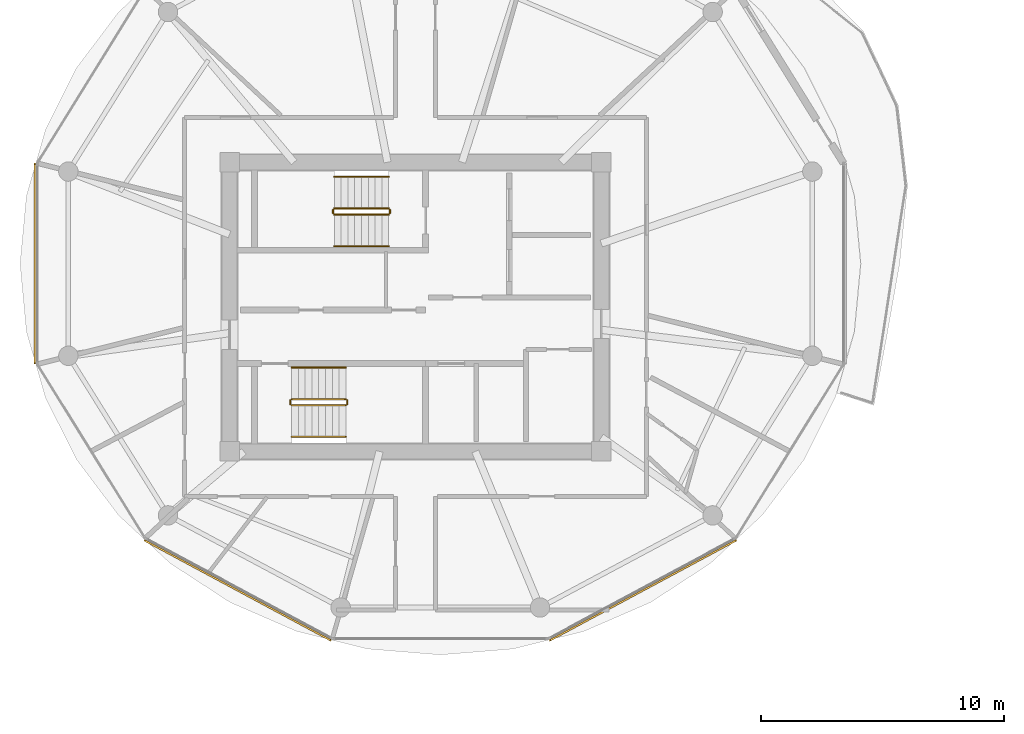
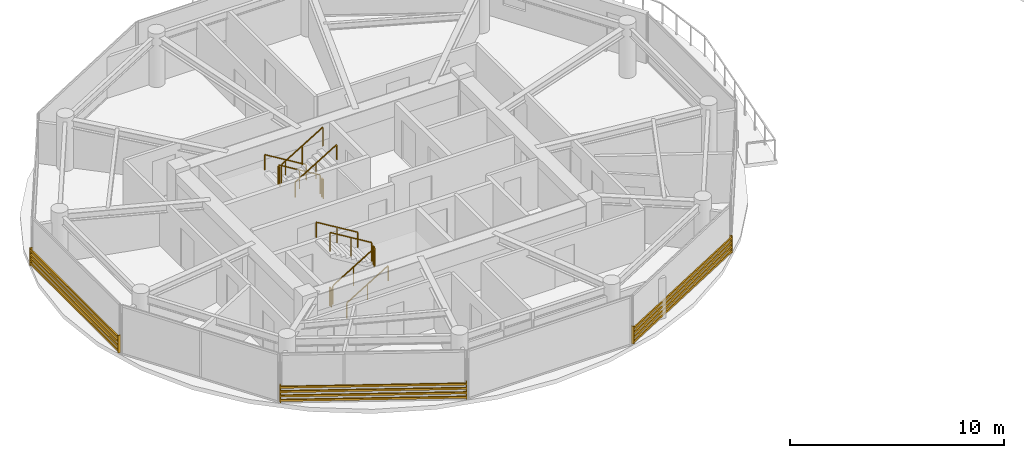
# One storey, part 19 of 21: 12 railings, 3 shading devices.
"""IFC4 building model written with IfcOpenShell, lengths in metres."""

from ifc_helpers import new_model, si_unit, direction, frame, origin, origin_2d, place, context, subcontext, project, spatial, rectangle, extrude, source, transform, mapped, material, type_object, type_shapes, element, save


model = new_model("IFC4")

# Units and contexts
model_context = context("Model", 3, precision=1e-05, world=origin(), true_north=direction((0.0, 1.0)))
body_context = subcontext(model_context, "Body", "Model", "MODEL_VIEW")
ifc_project = project(units=[si_unit("LENGTHUNIT", "METRE"), si_unit("AREAUNIT", "SQUARE_METRE"), si_unit("VOLUMEUNIT", "CUBIC_METRE"), si_unit("PLANEANGLEUNIT", "RADIAN"), si_unit("MASSUNIT", "GRAM", prefix="KILO")], contexts=[model_context])

# Site, building, storey
site_placement = place(None, origin())
site = spatial("IfcSite", under=ifc_project, at=site_placement, CompositionType="ELEMENT")
building_placement = place(site_placement, origin())
building = spatial("IfcBuilding", under=site, at=building_placement, Name="Norrkilde Senior Care Towers", CompositionType="ELEMENT")
storey_placement = place(building_placement, frame((0.0, 0.0, 140.39990234375)))
storey = spatial("IfcBuildingStorey", under=building, at=storey_placement, Name="L43", CompositionType="ELEMENT", Elevation=140.39990234375)

# Railings
ifc_material_1 = material(Name="Stainless Steel", Category="steel")
railing_type_1 = type_object("IfcRailingType", Name="Stair and Terrace Guardrail 1100", PredefinedType="GUARDRAIL", material=ifc_material_1)
railing_1_placement = place(storey_placement, frame((-29.10009765625, 4.050048828125, 0.16943359375)))
element("IfcRailing", 1, at=railing_1_placement, inside=storey, type_object=railing_type_1, Name="L43 ST-W1 stair guard 1", PredefinedType="GUARDRAIL", context=body_context, shape_type="SweptSolid", body=[
    extrude(rectangle(XDim=0.048095703125, YDim=0.048095703125, at=origin_2d()), frame((0.0, 0.0, 1.076171875), z_axis=(-0.855512035549, 0.0, 0.517782924622), x_axis=(0.0, -1.0, 0.0)), (0.0, 0.0, 1.0), 2.618408203125),
    extrude(rectangle(XDim=0.0419921875, YDim=0.0419921875, at=origin_2d()), origin(), (0.0, 0.0, 1.0), 1.050048828125),
    extrude(rectangle(XDim=0.0419921875, YDim=0.0419921875, at=origin_2d()), frame((-1.1201171875, 0.0, 0.677734375)), (0.0, 0.0, 1.0), 1.050048828125),
    extrude(rectangle(XDim=0.0419921875, YDim=0.0419921875, at=origin_2d()), frame((-2.239990234375, 0.0, 1.355712890625)), (0.0, 0.0, 1.0), 1.050048828125),
])
railing_2_placement = place(storey_placement, frame((-31.389892578125, 4.0, 1.525146484375)))
element("IfcRailing", 2, at=railing_2_placement, inside=storey, type_object=railing_type_1, Name="L43 ST-W1 stair guard 2", PredefinedType="GUARDRAIL", context=body_context, shape_type="SweptSolid", body=[
    extrude(rectangle(XDim=0.048095703125, YDim=0.048095703125, at=origin_2d()), frame((0.0, 0.0, 1.076171875), z_axis=(0.0, -1.0, 0.0), x_axis=(1.0, 0.0, 0.0)), (0.0, 0.0, 1.0), 0.14990234375),
    extrude(rectangle(XDim=0.0419921875, YDim=0.0419921875, at=origin_2d()), origin(), (0.0, 0.0, 1.0), 1.050048828125),
    extrude(rectangle(XDim=0.0419921875, YDim=0.0419921875, at=origin_2d()), frame((0.0, -0.14990234375, 0.0)), (0.0, 0.0, 1.0), 1.050048828125),
])
railing_3_placement = place(storey_placement, frame((-31.340087890625, 3.800048828125, 1.694580078125)))
element("IfcRailing", 3, at=railing_3_placement, inside=storey, type_object=railing_type_1, Name="L43 ST-W1 stair guard 3", PredefinedType="GUARDRAIL", context=body_context, shape_type="SweptSolid", body=[
    extrude(rectangle(XDim=0.048095703125, YDim=0.048095703125, at=origin_2d()), frame((0.0, 0.0, 1.076171875), z_axis=(0.855553338991, 0.0, 0.51771467445), x_axis=(0.0, 1.0, 0.0)), (0.0, 0.0, 1.0), 2.6181640625),
    extrude(rectangle(XDim=0.0419921875, YDim=0.0419921875, at=origin_2d()), origin(), (0.0, 0.0, 1.0), 1.050048828125),
    extrude(rectangle(XDim=0.0419921875, YDim=0.0419921875, at=origin_2d()), frame((1.1201171875, 0.0, 0.677734375)), (0.0, 0.0, 1.0), 1.050048828125),
    extrude(rectangle(XDim=0.0419921875, YDim=0.0419921875, at=origin_2d()), frame((2.239990234375, 0.0, 1.35546875)), (0.0, 0.0, 1.0), 1.050048828125),
])
railing_4_placement = place(storey_placement, frame((-29.050048828125, 4.0, 0.0)))
element("IfcRailing", 4, at=railing_4_placement, inside=storey, type_object=railing_type_1, Name="L43 ST-W1 stair guard 4", PredefinedType="GUARDRAIL", context=body_context, shape_type="SweptSolid", body=[
    extrude(rectangle(XDim=0.048095703125, YDim=0.048095703125, at=origin_2d()), frame((0.0, 0.0, 1.076171875), z_axis=(0.0, -1.0, 0.0), x_axis=(1.0, 0.0, 0.0)), (0.0, 0.0, 1.0), 0.14990234375),
    extrude(rectangle(XDim=0.0419921875, YDim=0.0419921875, at=origin_2d()), origin(), (0.0, 0.0, 1.0), 1.050048828125),
    extrude(rectangle(XDim=0.0419921875, YDim=0.0419921875, at=origin_2d()), frame((0.0, -0.14990234375, 0.0)), (0.0, 0.0, 1.0), 1.050048828125),
])
railing_5_placement = place(storey_placement, frame((-33.10009765625, -4.050048828125, 0.16943359375)))
element("IfcRailing", 5, at=railing_5_placement, inside=storey, type_object=railing_type_1, Name="L43 ST-W2 stair guard 1", PredefinedType="GUARDRAIL", context=body_context, shape_type="SweptSolid", body=[
    extrude(rectangle(XDim=0.048095703125, YDim=0.048095703125, at=origin_2d()), frame((0.0, 0.0, 1.076171875), z_axis=(0.855512035549, 0.0, 0.517782924622), x_axis=(0.0, 1.0, 0.0)), (0.0, 0.0, 1.0), 2.618408203125),
    extrude(rectangle(XDim=0.0419921875, YDim=0.0419921875, at=origin_2d()), origin(), (0.0, 0.0, 1.0), 1.050048828125),
    extrude(rectangle(XDim=0.0419921875, YDim=0.0419921875, at=origin_2d()), frame((1.1201171875, 0.0, 0.677734375)), (0.0, 0.0, 1.0), 1.050048828125),
    extrude(rectangle(XDim=0.0419921875, YDim=0.0419921875, at=origin_2d()), frame((2.239990234375, 0.0, 1.355712890625)), (0.0, 0.0, 1.0), 1.050048828125),
])
railing_6_placement = place(storey_placement, frame((-30.81005859375, -4.0, 1.525146484375)))
element("IfcRailing", 6, at=railing_6_placement, inside=storey, type_object=railing_type_1, Name="L43 ST-W2 stair guard 2", PredefinedType="GUARDRAIL", context=body_context, shape_type="SweptSolid", body=[
    extrude(rectangle(XDim=0.048095703125, YDim=0.048095703125, at=origin_2d()), frame((0.0, 0.0, 1.076171875), z_axis=(0.0, 1.0, 0.0), x_axis=(-1.0, 0.0, 0.0)), (0.0, 0.0, 1.0), 0.14990234375),
    extrude(rectangle(XDim=0.0419921875, YDim=0.0419921875, at=origin_2d()), origin(), (0.0, 0.0, 1.0), 1.050048828125),
    extrude(rectangle(XDim=0.0419921875, YDim=0.0419921875, at=origin_2d()), frame((0.0, 0.14990234375, 0.0)), (0.0, 0.0, 1.0), 1.050048828125),
])
railing_7_placement = place(storey_placement, frame((-30.860107421875, -3.800048828125, 1.694580078125)))
element("IfcRailing", 7, at=railing_7_placement, inside=storey, type_object=railing_type_1, Name="L43 ST-W2 stair guard 3", PredefinedType="GUARDRAIL", context=body_context, shape_type="SweptSolid", body=[
    extrude(rectangle(XDim=0.048095703125, YDim=0.048095703125, at=origin_2d()), frame((0.0, 0.0, 1.076171875), z_axis=(-0.855553338991, 0.0, 0.51771467445), x_axis=(0.0, -1.0, 0.0)), (0.0, 0.0, 1.0), 2.6181640625),
    extrude(rectangle(XDim=0.0419921875, YDim=0.0419921875, at=origin_2d()), origin(), (0.0, 0.0, 1.0), 1.050048828125),
    extrude(rectangle(XDim=0.0419921875, YDim=0.0419921875, at=origin_2d()), frame((-1.1201171875, 0.0, 0.677734375)), (0.0, 0.0, 1.0), 1.050048828125),
    extrude(rectangle(XDim=0.0419921875, YDim=0.0419921875, at=origin_2d()), frame((-2.239990234375, 0.0, 1.35546875)), (0.0, 0.0, 1.0), 1.050048828125),
])
railing_8_placement = place(storey_placement, frame((-33.14990234375, -4.0, 0.0)))
element("IfcRailing", 8, at=railing_8_placement, inside=storey, type_object=railing_type_1, Name="L43 ST-W2 stair guard 4", PredefinedType="GUARDRAIL", context=body_context, shape_type="SweptSolid", body=[
    extrude(rectangle(XDim=0.048095703125, YDim=0.048095703125, at=origin_2d()), frame((0.0, 0.0, 1.076171875), z_axis=(0.0, 1.0, 0.0), x_axis=(-1.0, 0.0, 0.0)), (0.0, 0.0, 1.0), 0.14990234375),
    extrude(rectangle(XDim=0.0419921875, YDim=0.0419921875, at=origin_2d()), origin(), (0.0, 0.0, 1.0), 1.050048828125),
    extrude(rectangle(XDim=0.0419921875, YDim=0.0419921875, at=origin_2d()), frame((0.0, 0.14990234375, 0.0)), (0.0, 0.0, 1.0), 1.050048828125),
])
ifc_material_2 = material(Name="Nordic Ash Timber", Category="wood")
railing_type_2 = type_object("IfcRailingType", Name="Wall and Stair Handrail 900", PredefinedType="HANDRAIL", material=ifc_material_2)
railing_9_placement = place(storey_placement, frame((-29.10009765625, 5.35009765625, 0.16943359375)))
element("IfcRailing", 9, at=railing_9_placement, inside=storey, type_object=railing_type_2, Name="L43 ST-W1 stair handrail 1", PredefinedType="HANDRAIL", context=body_context, shape_type="SweptSolid", body=[
    extrude(rectangle(XDim=0.048095703125, YDim=0.048095703125, at=origin_2d()), frame((0.0, 0.0, 0.8759765625), z_axis=(-0.855512035549, 0.0, 0.517782924622), x_axis=(0.0, -1.0, 0.0)), (0.0, 0.0, 1.0), 2.618408203125),
    extrude(rectangle(XDim=0.0419921875, YDim=0.0419921875, at=origin_2d()), origin(), (0.0, 0.0, 1.0), 0.849853515625),
    extrude(rectangle(XDim=0.0419921875, YDim=0.0419921875, at=origin_2d()), frame((-1.1201171875, 0.0, 0.677734375)), (0.0, 0.0, 1.0), 0.849853515625),
    extrude(rectangle(XDim=0.0419921875, YDim=0.0419921875, at=origin_2d()), frame((-2.239990234375, 0.0, 1.355712890625)), (0.0, 0.0, 1.0), 0.849853515625),
])
railing_10_placement = place(storey_placement, frame((-31.340087890625, 2.5, 1.694580078125)))
element("IfcRailing", 10, at=railing_10_placement, inside=storey, type_object=railing_type_2, Name="L43 ST-W1 stair handrail 2", PredefinedType="HANDRAIL", context=body_context, shape_type="SweptSolid", body=[
    extrude(rectangle(XDim=0.048095703125, YDim=0.048095703125, at=origin_2d()), frame((0.0, 0.0, 0.8759765625), z_axis=(0.855553338991, 0.0, 0.51771467445), x_axis=(0.0, 1.0, 0.0)), (0.0, 0.0, 1.0), 2.6181640625),
    extrude(rectangle(XDim=0.0419921875, YDim=0.0419921875, at=origin_2d()), origin(), (0.0, 0.0, 1.0), 0.849853515625),
    extrude(rectangle(XDim=0.0419921875, YDim=0.0419921875, at=origin_2d()), frame((1.1201171875, 0.0, 0.677734375)), (0.0, 0.0, 1.0), 0.849853515625),
    extrude(rectangle(XDim=0.0419921875, YDim=0.0419921875, at=origin_2d()), frame((2.239990234375, 0.0, 1.35546875)), (0.0, 0.0, 1.0), 0.849853515625),
])
railing_11_placement = place(storey_placement, frame((-33.10009765625, -5.35009765625, 0.16943359375)))
element("IfcRailing", 11, at=railing_11_placement, inside=storey, type_object=railing_type_2, Name="L43 ST-W2 stair handrail 1", PredefinedType="HANDRAIL", context=body_context, shape_type="SweptSolid", body=[
    extrude(rectangle(XDim=0.048095703125, YDim=0.048095703125, at=origin_2d()), frame((0.0, 0.0, 0.8759765625), z_axis=(0.855512035549, 0.0, 0.517782924622), x_axis=(0.0, 1.0, 0.0)), (0.0, 0.0, 1.0), 2.618408203125),
    extrude(rectangle(XDim=0.0419921875, YDim=0.0419921875, at=origin_2d()), origin(), (0.0, 0.0, 1.0), 0.849853515625),
    extrude(rectangle(XDim=0.0419921875, YDim=0.0419921875, at=origin_2d()), frame((1.1201171875, 0.0, 0.677734375)), (0.0, 0.0, 1.0), 0.849853515625),
    extrude(rectangle(XDim=0.0419921875, YDim=0.0419921875, at=origin_2d()), frame((2.239990234375, 0.0, 1.355712890625)), (0.0, 0.0, 1.0), 0.849853515625),
])
railing_12_placement = place(storey_placement, frame((-30.860107421875, -2.5, 1.694580078125)))
element("IfcRailing", 12, at=railing_12_placement, inside=storey, type_object=railing_type_2, Name="L43 ST-W2 stair handrail 2", PredefinedType="HANDRAIL", context=body_context, shape_type="SweptSolid", body=[
    extrude(rectangle(XDim=0.048095703125, YDim=0.048095703125, at=origin_2d()), frame((0.0, 0.0, 0.8759765625), z_axis=(-0.855553338991, 0.0, 0.51771467445), x_axis=(0.0, -1.0, 0.0)), (0.0, 0.0, 1.0), 2.6181640625),
    extrude(rectangle(XDim=0.0419921875, YDim=0.0419921875, at=origin_2d()), origin(), (0.0, 0.0, 1.0), 0.849853515625),
    extrude(rectangle(XDim=0.0419921875, YDim=0.0419921875, at=origin_2d()), frame((-1.1201171875, 0.0, 0.677734375)), (0.0, 0.0, 1.0), 0.849853515625),
    extrude(rectangle(XDim=0.0419921875, YDim=0.0419921875, at=origin_2d()), frame((-2.239990234375, 0.0, 1.35546875)), (0.0, 0.0, 1.0), 0.849853515625),
])

# Shading devices
ifc_material_3 = material(Name="Architectural Terracotta", Category="masonry")
shading_device_type = type_object("IfcShadingDeviceType", Name="Horizontal Terracotta Baguette Rack", PredefinedType="USERDEFINED", material=ifc_material_3)
shared_shape_1 = source(origin(), body_context, "Body", "SweptSolid", [
    extrude(rectangle(XDim=0.070068359375, YDim=0.110107421875, at=origin_2d()), frame((0.0, 0.090087890625, 0.125), z_axis=(1.0, 0.0, 0.0), x_axis=(0.0, 1.0, 0.0)), (0.0, 0.0, 1.0), 8.741943359375),
    extrude(rectangle(XDim=0.070068359375, YDim=0.110107421875, at=origin_2d()), frame((0.0, 0.090087890625, 0.375), z_axis=(1.0, 0.0, 0.0), x_axis=(0.0, 1.0, 0.0)), (0.0, 0.0, 1.0), 8.741943359375),
    extrude(rectangle(XDim=0.070068359375, YDim=0.110107421875, at=origin_2d()), frame((0.0, 0.090087890625, 0.625), z_axis=(1.0, 0.0, 0.0), x_axis=(0.0, 1.0, 0.0)), (0.0, 0.0, 1.0), 8.741943359375),
    extrude(rectangle(XDim=0.070068359375, YDim=0.110107421875, at=origin_2d()), frame((0.0, 0.090087890625, 0.875), z_axis=(1.0, 0.0, 0.0), x_axis=(0.0, 1.0, 0.0)), (0.0, 0.0, 1.0), 8.741943359375),
    extrude(rectangle(XDim=0.050048828125, YDim=0.1552734375, at=origin_2d()), frame((0.02490234375, 0.047607421875, 0.0)), (0.0, 0.0, 1.0), 1.0),
    extrude(rectangle(XDim=0.050048828125, YDim=0.1552734375, at=origin_2d()), frame((8.716796875, 0.047607421875, 0.0)), (0.0, 0.0, 1.0), 1.0),
])
shading_device_1_placement = place(storey_placement, frame((-14.826904296875, -9.524169921875, 0.080078125), z_axis=(0.0, 0.0, 1.0), x_axis=(-0.881000921608, -0.473119781048, 0.0)))
element("IfcShadingDevice", 13, at=shading_device_1_placement, inside=storey, type_object=shading_device_type, Name="L43 Drum W Terracotta Baguette Screen 09", ObjectType="BAGUETTE", PredefinedType="USERDEFINED", context=body_context, shape_type="MappedRepresentation", body=[
    mapped(shared_shape_1, transform((0.0, 0.0, 0.0), x_axis=(1.0, 0.0, 0.0), y_axis=(0.0, 1.0, 0.0), z_axis=(0.0, 0.0, 1.0), scale=1.0)),
])
shared_shape_2 = source(origin(), body_context, "Body", "SweptSolid", [
    extrude(rectangle(XDim=0.070068359375, YDim=0.110107421875, at=origin_2d()), frame((0.0, 0.090087890625, 0.125), z_axis=(1.0, 0.0, 0.0), x_axis=(0.0, 1.0, 0.0)), (0.0, 0.0, 1.0), 8.74169921875),
    extrude(rectangle(XDim=0.070068359375, YDim=0.110107421875, at=origin_2d()), frame((0.0, 0.090087890625, 0.375), z_axis=(1.0, 0.0, 0.0), x_axis=(0.0, 1.0, 0.0)), (0.0, 0.0, 1.0), 8.74169921875),
    extrude(rectangle(XDim=0.070068359375, YDim=0.110107421875, at=origin_2d()), frame((0.0, 0.090087890625, 0.625), z_axis=(1.0, 0.0, 0.0), x_axis=(0.0, 1.0, 0.0)), (0.0, 0.0, 1.0), 8.74169921875),
    extrude(rectangle(XDim=0.070068359375, YDim=0.110107421875, at=origin_2d()), frame((0.0, 0.090087890625, 0.875), z_axis=(1.0, 0.0, 0.0), x_axis=(0.0, 1.0, 0.0)), (0.0, 0.0, 1.0), 8.74169921875),
    extrude(rectangle(XDim=0.050048828125, YDim=0.1552734375, at=origin_2d()), frame((0.02490234375, 0.047607421875, 0.0)), (0.0, 0.0, 1.0), 1.0),
    extrude(rectangle(XDim=0.050048828125, YDim=0.1552734375, at=origin_2d()), frame((8.716796875, 0.047607421875, 0.0)), (0.0, 0.0, 1.0), 1.0),
])
shading_device_2_placement = place(storey_placement, frame((-31.421630859375, -13.66015625, 0.080078125), z_axis=(0.0, 0.0, 1.0), x_axis=(-0.880997598168, 0.47313299447, 0.0)))
element("IfcShadingDevice", 14, at=shading_device_2_placement, inside=storey, type_object=shading_device_type, Name="L43 Drum W Terracotta Baguette Screen 07", ObjectType="BAGUETTE", PredefinedType="USERDEFINED", context=body_context, shape_type="MappedRepresentation", body=[
    mapped(shared_shape_2, transform((0.0, 0.0, 0.0), x_axis=(1.0, 0.0, 0.0), y_axis=(0.0, 1.0, 0.0), z_axis=(0.0, 0.0, 1.0), scale=1.0)),
])
shared_shape_3 = source(origin(), body_context, "Body", "SweptSolid", [
    extrude(rectangle(XDim=0.070068359375, YDim=0.110107421875, at=origin_2d()), frame((0.0, 0.090087890625, 0.125), z_axis=(1.0, 0.0, 0.0), x_axis=(0.0, 1.0, 0.0)), (0.0, 0.0, 1.0), 8.27197265625),
    extrude(rectangle(XDim=0.070068359375, YDim=0.110107421875, at=origin_2d()), frame((0.0, 0.090087890625, 0.375), z_axis=(1.0, 0.0, 0.0), x_axis=(0.0, 1.0, 0.0)), (0.0, 0.0, 1.0), 8.27197265625),
    extrude(rectangle(XDim=0.070068359375, YDim=0.110107421875, at=origin_2d()), frame((0.0, 0.090087890625, 0.625), z_axis=(1.0, 0.0, 0.0), x_axis=(0.0, 1.0, 0.0)), (0.0, 0.0, 1.0), 8.27197265625),
    extrude(rectangle(XDim=0.070068359375, YDim=0.110107421875, at=origin_2d()), frame((0.0, 0.090087890625, 0.875), z_axis=(1.0, 0.0, 0.0), x_axis=(0.0, 1.0, 0.0)), (0.0, 0.0, 1.0), 8.27197265625),
    extrude(rectangle(XDim=0.050048828125, YDim=0.1552734375, at=origin_2d()), frame((0.02490234375, 0.047607421875, 0.0)), (0.0, 0.0, 1.0), 1.0),
    extrude(rectangle(XDim=0.050048828125, YDim=0.1552734375, at=origin_2d()), frame((8.2470703125, 0.047607421875, 0.0)), (0.0, 0.0, 1.0), 1.0),
])
type_shapes(shading_device_type, [shared_shape_1, shared_shape_2, shared_shape_3])
shading_device_3_placement = place(storey_placement, frame((-43.569580078125, -2.360595703125, 0.080078125), z_axis=(0.0, 0.0, 1.0), x_axis=(0.0, 1.0, 0.0)))
element("IfcShadingDevice", 15, at=shading_device_3_placement, inside=storey, type_object=shading_device_type, Name="L43 Drum W Terracotta Baguette Screen 05", ObjectType="BAGUETTE", PredefinedType="USERDEFINED", context=body_context, shape_type="MappedRepresentation", body=[
    mapped(shared_shape_3, transform((0.0, 0.0, 0.0), x_axis=(1.0, 0.0, 0.0), y_axis=(0.0, 1.0, 0.0), z_axis=(0.0, 0.0, 1.0), scale=1.0)),
])

save(model, "model.ifc")
